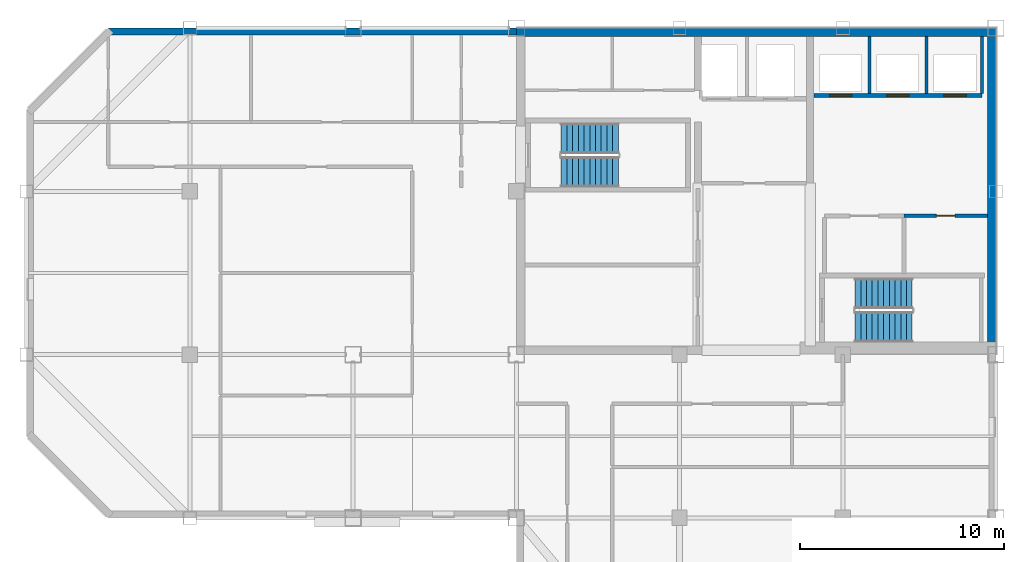
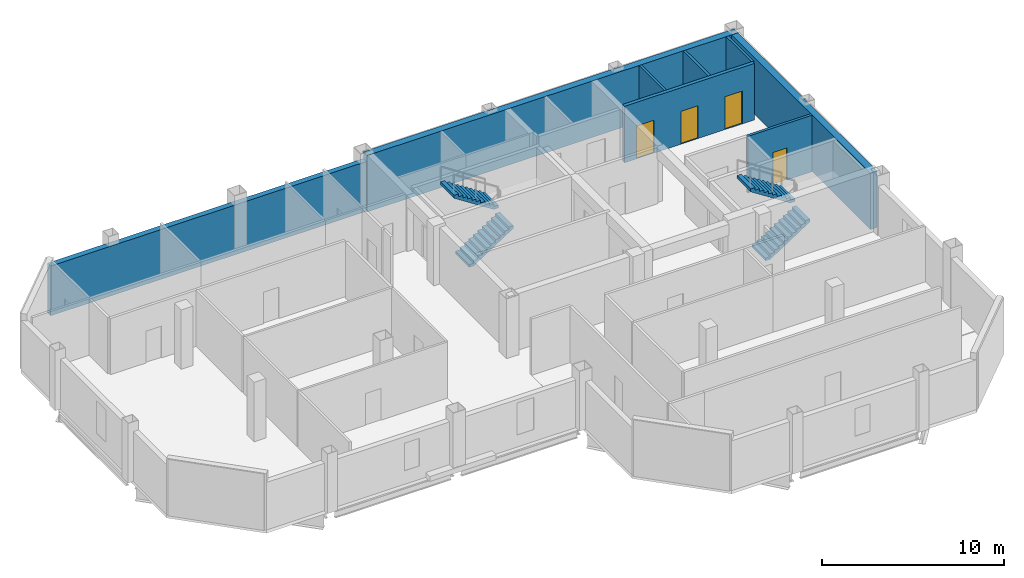
# One storey, part 4 of 7: 8 walls, 4 doors, 4 stair flights, 4 openings, 2 elements without a shape of their own.
"""IFC4 building model written with IfcOpenShell, lengths in metres."""

import ifcopenshell
import ifcopenshell.guid

model = None  # the IFC model being written
_history = None  # IfcOwnerHistory: only IFC2X3 demands one
_inside = {}  # id of a spatial element -> (the spatial element, [elements in it])
_under = {}  # id of a project, library or spatial element -> (it, [spatial elements below it])
_declared = {}  # id of a project -> (the project, [libraries it declares])
_typed = {}  # id of a type object -> (the type object, [elements of that type])
_made_of = {}  # id of a material, layer set ... -> (it, [elements and type objects made of it])


def new_model(schema):
    """Start an empty IFC model of exactly this schema.

    Asked for "IFC4X3", IfcOpenShell would pick the latest addendum, in which some entities
    have other attributes; the version numbers below select the first issue.
    IFC2X3 requires an IfcOwnerHistory on every rooted entity: one is made here for all.
    """
    global model, _history
    if schema == "IFC4X3":
        model = ifcopenshell.file(schema_version=(4, 3, 0, 0))
    else:
        model = ifcopenshell.file(schema=schema)
    _inside.clear()
    _under.clear()
    _declared.clear()
    _typed.clear()
    _made_of.clear()
    _history = None
    if model.schema == "IFC2X3":
        org = make("IfcOrganization", Name="unknown")
        user = make(
            "IfcPersonAndOrganization",
            ThePerson=make("IfcPerson", FamilyName="unknown"),
            TheOrganization=org,
        )
        app = make(
            "IfcApplication",
            ApplicationDeveloper=org,
            Version="unknown",
            ApplicationFullName="unknown",
            ApplicationIdentifier="unknown",
        )
        _history = make(
            "IfcOwnerHistory",
            OwningUser=user,
            OwningApplication=app,
            ChangeAction="ADDED",
            CreationDate=0,
        )
    return model


def make(cls, **values):
    """One entity of the class cls with the attributes given. An attribute that is None is left unset."""
    return model.create_entity(
        cls, **{name: value for name, value in values.items() if value is not None}
    )


def rooted(cls, **values):
    """An entity with a GlobalId (a new one), such as an element, a storey or a relation."""
    return make(cls, GlobalId=ifcopenshell.guid.new(), OwnerHistory=_history, **values)


def si_unit(unit_type, name, prefix=None):
    """IfcSIUnit, for example si_unit("LENGTHUNIT", "METRE", prefix="MILLI")."""
    return make("IfcSIUnit", UnitType=unit_type, Prefix=prefix, Name=name)


def assignment(units):
    """IfcUnitAssignment: the units of a project."""
    return None if units is None else make("IfcUnitAssignment", Units=units)


def point(xyz):
    """IfcCartesianPoint."""
    return None if xyz is None else make("IfcCartesianPoint", Coordinates=xyz)


def direction(xyz):
    """IfcDirection."""
    return None if xyz is None else make("IfcDirection", DirectionRatios=xyz)


def frame(location, z_axis=None, x_axis=None):
    """IfcAxis2Placement3D, a coordinate frame: its origin and axes. An axis left out is left unset."""
    return make(
        "IfcAxis2Placement3D",
        Location=point(location),
        Axis=direction(z_axis),
        RefDirection=direction(x_axis),
    )


def frame_2d(location, x_axis=None):
    """IfcAxis2Placement2D, a coordinate frame in the plane: its origin and x axis."""
    return make(
        "IfcAxis2Placement2D", Location=point(location), RefDirection=direction(x_axis)
    )


def origin():
    """The frame at (0, 0, 0) with its axes left unset."""
    return frame((0.0, 0.0, 0.0))


def place(relative_to, where):
    """IfcLocalPlacement: puts the frame where relative to a parent placement (None: the world)."""
    return make(
        "IfcLocalPlacement", PlacementRelTo=relative_to, RelativePlacement=where
    )


def context(
    kind, dimensions, precision=None, world=None, true_north=None, identifier=None
):
    """IfcGeometricRepresentationContext, for example the 3D "Model" context."""
    return make(
        "IfcGeometricRepresentationContext",
        ContextIdentifier=identifier,
        ContextType=kind,
        CoordinateSpaceDimension=dimensions,
        Precision=precision,
        WorldCoordinateSystem=world,
        TrueNorth=true_north,
    )


def subcontext(parent, identifier, kind, view, scale=None):
    """IfcGeometricRepresentationSubContext, for example "Body" below "Model"."""
    return make(
        "IfcGeometricRepresentationSubContext",
        ContextIdentifier=identifier,
        ContextType=kind,
        ParentContext=parent,
        TargetScale=scale,
        TargetView=view,
    )


def project(units=None, contexts=None):
    """IfcProject with its units and contexts."""
    return rooted(
        "IfcProject",
        Name="project",
        RepresentationContexts=contexts,
        UnitsInContext=assignment(units),
    )


def spatial(cls, under=None, at=None, **own):
    """A site, building, storey or space (cls), placed at a placement, below another one or the project."""
    s = rooted(cls, ObjectPlacement=at, **own)
    if under is not None:
        _under.setdefault(under.id(), (under, []))[1].append(s)
    return s


def polyline(points):
    """IfcPolyline through the points."""
    return make("IfcPolyline", Points=[point(p) for p in points])


def profile(cls, at=None, kind="AREA", **sizes):
    """A parametric profile (cls). Its sizes go by their IFC names, for example OverallWidth=200.0."""
    return make(cls, ProfileType=kind, Position=at, **sizes)


def rectangle(**sizes):
    """IfcRectangleProfileDef."""
    return profile("IfcRectangleProfileDef", **sizes)


def outline(outer, holes=None, kind="AREA"):
    """IfcArbitraryClosedProfileDef: a profile drawn as a closed curve; with holes, ...WithVoids."""
    if holes is None:
        return make("IfcArbitraryClosedProfileDef", ProfileType=kind, OuterCurve=outer)
    return make(
        "IfcArbitraryProfileDefWithVoids",
        ProfileType=kind,
        OuterCurve=outer,
        InnerCurves=holes,
    )


def extrude(swept, where, along, depth):
    """IfcExtrudedAreaSolid: the profile swept, set in the frame where, extruded along a direction by depth."""
    return make(
        "IfcExtrudedAreaSolid",
        SweptArea=swept,
        Position=where,
        ExtrudedDirection=direction(along),
        Depth=depth,
    )


def shape(context_of_items, identifier, shape_type, items):
    """IfcShapeRepresentation: the items that make up one representation, for example the "Body"."""
    return make(
        "IfcShapeRepresentation",
        ContextOfItems=context_of_items,
        RepresentationIdentifier=identifier,
        RepresentationType=shape_type,
        Items=items,
    )


def material(Name=None, Category=None):
    """IfcMaterial."""
    return make("IfcMaterial", Name=Name, Category=Category)


def layer(
    of_material, thickness, ventilated=None, Name=None, Category=None, Priority=None
):
    """IfcMaterialLayer: one layer of a wall or slab, of a material (None: an air gap)."""
    return make(
        "IfcMaterialLayer",
        Material=of_material,
        LayerThickness=thickness,
        IsVentilated=ventilated,
        Name=Name,
        Category=Category,
        Priority=Priority,
    )


def layer_set(layers, Name=None):
    """IfcMaterialLayerSet."""
    return make("IfcMaterialLayerSet", MaterialLayers=layers, LayerSetName=Name)


def made_of(thing, what):
    """Note that an element or type object is made of a material, layer set ...; save() writes the relation."""
    if what is not None:
        _made_of.setdefault(what.id(), (what, []))[1].append(thing)
    return thing


def type_object(cls, material=None, **own):
    """A type object (cls), such as IfcWallType, which elements share."""
    return made_of(rooted(cls, **own), material)


def element(
    cls,
    number,
    at=None,
    inside=None,
    cuts=None,
    type_object=None,
    material=None,
    context=None,
    identifier="Body",
    shape_type=None,
    held_by="IfcProductDefinitionShape",
    body=None,
    shapes=None,
    **own,
):
    """One element of the class cls, such as IfcWall. Its Tag is "e" and its number.

    at: its placement. inside: the storey or other place that contains it. cuts: it is an
    opening in that element (IfcRelVoidsElement). A single representation is given by context,
    identifier, shape_type and body (its items); several are given by shapes. held_by: the class
    of the entity that holds the representations. save() writes the other relations.
    """
    e = rooted(cls, Tag="e%d" % number, ObjectPlacement=at, **own)
    if body is not None:
        shapes = [shape(context, identifier, shape_type, body)]
    if shapes is not None:
        e.Representation = make(held_by, Representations=shapes)
    if inside is not None:
        _inside.setdefault(inside.id(), (inside, []))[1].append(e)
    if cuts is not None:
        rooted(
            "IfcRelVoidsElement", RelatingBuildingElement=cuts, RelatedOpeningElement=e
        )
    if type_object is not None:
        _typed.setdefault(type_object.id(), (type_object, []))[1].append(e)
    return made_of(e, material)


def fill(opening, filler):
    """IfcRelFillsElement: the door or window that sits in an opening."""
    return rooted(
        "IfcRelFillsElement",
        RelatingOpeningElement=opening,
        RelatedBuildingElement=filler,
    )


def aggregate(whole, parts):
    """IfcRelAggregates: a whole, such as a stair, and the parts it consists of."""
    return rooted("IfcRelAggregates", RelatingObject=whole, RelatedObjects=parts)


def save(model, path):
    """Write the relations noted so far, then the file.

    IfcRelAggregates (storeys below a building ...), IfcRelContainedInSpatialStructure (elements
    in a storey), IfcRelDefinesByType, IfcRelAssociatesMaterial and IfcRelDeclares: one each for
    every whole, place, type object, material and project.
    """
    for whole, parts in _under.values():
        aggregate(whole, parts)
    for where, things in _inside.values():
        rooted(
            "IfcRelContainedInSpatialStructure",
            RelatedElements=things,
            RelatingStructure=where,
        )
    for kind, things in _typed.values():
        rooted("IfcRelDefinesByType", RelatedObjects=things, RelatingType=kind)
    for what, things in _made_of.values():
        rooted("IfcRelAssociatesMaterial", RelatedObjects=things, RelatingMaterial=what)
    for by, libraries in _declared.values():
        rooted("IfcRelDeclares", RelatingContext=by, RelatedDefinitions=libraries)
    model.write(path)


model = new_model("IFC4")

# Units and contexts
model_context = context("Model", 3, precision=1e-05, world=origin(), true_north=direction((0.0, 1.0)))
body_context = subcontext(model_context, "Body", "Model", "MODEL_VIEW")
ifc_project = project(units=[si_unit("LENGTHUNIT", "METRE"), si_unit("AREAUNIT", "SQUARE_METRE"), si_unit("VOLUMEUNIT", "CUBIC_METRE"), si_unit("PLANEANGLEUNIT", "RADIAN"), si_unit("MASSUNIT", "GRAM", prefix="KILO")], contexts=[model_context])

# Site, building, storey
site_placement = place(None, origin())
site = spatial("IfcSite", under=ifc_project, at=site_placement, CompositionType="ELEMENT")
building_placement = place(site_placement, origin())
building = spatial("IfcBuilding", under=site, at=building_placement, Name="Qianrong Seaharbour Tower", CompositionType="ELEMENT")
storey_placement = place(building_placement, frame((0.0, 0.0, 347.199951171875)))
storey = spatial("IfcBuildingStorey", under=building, at=storey_placement, Name="L84", CompositionType="ELEMENT", Elevation=347.199951171875)

# Walls
ifc_material_1 = material(Name="Concrete C50/60", Category="concrete")
ifc_layer_1 = layer(ifc_material_1, 0.419921875)
ifc_layer_set_1 = layer_set([ifc_layer_1], Name="Concrete C50/60")
wall_type_1 = type_object("IfcWallType", Name="WALL-CORE-420", PredefinedType="SHEAR", material=ifc_layer_set_1)
wall_1_placement = place(storey_placement, frame((40.5, 51.7900390625, 0.0), z_axis=(0.0, 0.0, 1.0), x_axis=(1.0, 0.0, 0.0)))
element("IfcWall", 1, at=wall_1_placement, inside=storey, type_object=wall_type_1, Name="L84 North Core Shear Wall", PredefinedType="SHEAR", context=body_context, shape_type="SweptSolid", body=[
    extrude(rectangle(XDim=23.5, YDim=0.419921875, at=frame_2d((11.75, 0.0))), origin(), (0.0, 0.0, 1.0), 3.78515625),
])
wall_2_placement = place(storey_placement, frame((63.7900390625, 36.320068359375, 0.0), z_axis=(0.0, 0.0, 1.0), x_axis=(0.0, 1.0, 0.0)))
element("IfcWall", 2, at=wall_2_placement, inside=storey, type_object=wall_type_1, Name="L84 East Core Shear Wall", PredefinedType="SHEAR", context=body_context, shape_type="SweptSolid", body=[
    extrude(rectangle(XDim=15.260009765625, YDim=0.419921875, at=frame_2d((7.6298828125, 0.0))), origin(), (0.0, 0.0, 1.0), 3.78515625),
])

# Wall, opening, door
ifc_material_2 = material(Name="Fire-rated acoustic gypsum board partition")
ifc_layer_2 = layer(ifc_material_2, 0.1650390625)
ifc_layer_set_2 = layer_set([ifc_layer_2], Name="Fire-rated acoustic gypsum board partition")
wall_type_2 = type_object("IfcWallType", Name="WALL-CORR-PART-165", PredefinedType="PARTITIONING", material=ifc_layer_set_2)
wall_3_placement = place(storey_placement, frame((63.580078125, 42.800048828125, 0.0), z_axis=(0.0, 0.0, 1.0), x_axis=(-1.0, 0.0, 0.0)))
wall_3 = element("IfcWall", 3, at=wall_3_placement, inside=storey, type_object=wall_type_2, Name="L84 Interior Partition Wall 015", PredefinedType="PARTITIONING", context=body_context, shape_type="SweptSolid", body=[
    extrude(rectangle(XDim=4.080078125, YDim=0.1650390625, at=frame_2d((2.0400390625, 0.0))), origin(), (0.0, 0.0, 1.0), 3.78515625),
])
opening_1_placement = place(wall_3_placement, frame((1.590087890625, 0.0, 0.0)))
opening_1 = element("IfcOpeningElement", 4, at=opening_1_placement, cuts=wall_3, Name="Opening DS-01", PredefinedType="OPENING", context=body_context, shape_type="SweptSolid", body=[
    extrude(rectangle(XDim=0.89990234375, YDim=2.14990234375, at=frame_2d((0.449951171875, 1.074951171875))), frame((0.0, 0.092529296875, 0.0), z_axis=(0.0, -1.0, 0.0), x_axis=(1.0, 0.0, 0.0)), (0.0, 0.0, 1.0), 0.18505859375),
])
ifc_material_3 = material(Name="Acoustic timber and galvanized steel fire door assembly", Category="steel")
door_type_1 = type_object("IfcDoorType", Name="DOOR-STORE-900x2150", OperationType="NOTDEFINED", PredefinedType="DOOR", material=ifc_material_3)
door_1_placement = place(opening_1_placement, origin())
door_1 = element("IfcDoor", 5, at=door_1_placement, inside=storey, type_object=door_type_1, Name="L84 Cleaner Store Room Door", OperationType="SINGLE_SWING_LEFT", OverallHeight=2.14990234375, OverallWidth=0.89990234375, PredefinedType="DOOR", context=body_context, shape_type="SweptSolid", body=[
    extrude(rectangle(XDim=0.89990234375, YDim=2.14990234375, at=frame_2d((0.449951171875, 1.074951171875))), frame((0.0, 0.02490234375, 0.0), z_axis=(0.0, -1.0, 0.0), x_axis=(1.0, 0.0, 0.0)), (0.0, 0.0, 1.0), 0.050048828125),
])
fill(opening_1, door_1)

# Walls
ifc_material_4 = material(Name="Unitised buff brick on Precast concrete C45/55", Category="masonry")
ifc_layer_3 = layer(ifc_material_4, 0.340087890625)
ifc_layer_set_3 = layer_set([ifc_layer_3], Name="Unitised buff brick on Precast concrete C45/55")
wall_type_3 = type_object("IfcWallType", Name="WALL-EXT-BRICK-BUFF-340", PredefinedType="SOLIDWALL", material=ifc_layer_set_3)
wall_4_placement = place(storey_placement, frame((20.5, 51.830078125, 0.0), z_axis=(0.0, 0.0, 1.0), x_axis=(1.0, 0.0, 0.0)))
element("IfcWall", 6, at=wall_4_placement, inside=storey, type_object=wall_type_3, Name="L84 Exterior Masonry Facade Wall NORTH_WING", PredefinedType="SOLIDWALL", context=body_context, shape_type="SweptSolid", body=[
    extrude(rectangle(XDim=20.02001953125, YDim=0.340087890625, at=frame_2d((10.010009765625, 0.0))), origin(), (0.0, 0.0, 1.0), 3.3349609375),
])
ifc_material_5 = material(Name="Fire-rated gypsum board on steel studs", Category="steel")
ifc_layer_4 = layer(ifc_material_5, 0.14990234375)
ifc_layer_set_4 = layer_set([ifc_layer_4], Name="Fire-rated gypsum board on steel studs")
wall_type_4 = type_object("IfcWallType", Name="WALL-SHAFT-DIV-150", PredefinedType="PARTITIONING", material=ifc_layer_set_4)
for number, where, z_axis, x_axis, name in (
    (7, (57.800048828125, 48.81005859375, 0.0), (0.0, 0.0, 1.0), (0.0, 1.0, 0.0), "L84 P4 Lift Hoistway Divider 2"),
    (8, (60.60009765625, 48.81005859375, 0.0), (0.0, 0.0, 1.0), (0.0, 1.0, 0.0), "L84 P4 Lift Hoistway Divider 3"),
    (9, (63.320068359375, 48.81005859375, 0.0), (0.0, 0.0, 1.0), (0.0, 1.0, 0.0), "L84 P4 Lift Hoistway Divider 4"),
):
    element("IfcWall", number, at=place(storey_placement, frame(where, z_axis=z_axis, x_axis=x_axis)), inside=storey, type_object=wall_type_4, Name=name, PredefinedType="PARTITIONING", context=body_context, shape_type="SweptSolid", body=[
        extrude(rectangle(XDim=2.77001953125, YDim=0.14990234375, at=frame_2d((1.385009765625, 0.0))), origin(), (0.0, 0.0, 1.0), 3.78515625),
    ])

# Wall, openings, doors
ifc_layer_5 = layer(ifc_material_5, 0.219970703125)
ifc_layer_set_5 = layer_set([ifc_layer_5], Name="Fire-rated gypsum board on steel studs")
wall_type_5 = type_object("IfcWallType", Name="WALL-SHAFT-GYP220", PredefinedType="PARTITIONING", material=ifc_layer_set_5)
wall_5_placement = place(storey_placement, frame((63.320068359375, 48.699951171875, 0.0), z_axis=(0.0, 0.0, 1.0), x_axis=(-1.0, 0.0, 0.0)))
wall_5 = element("IfcWall", 10, at=wall_5_placement, inside=storey, type_object=wall_type_5, Name="L84 P4 Lift Hoistway Front Wall", PredefinedType="PARTITIONING", context=body_context, shape_type="SweptSolid", body=[
    extrude(rectangle(XDim=8.239990234375, YDim=0.219970703125, at=frame_2d((4.1201171875, 0.0))), origin(), (0.0, 0.0, 1.0), 3.78515625),
])
opening_2_placement = place(wall_5_placement, frame((6.3701171875, 0.0, 0.0)))
opening_2 = element("IfcOpeningElement", 11, at=opening_2_placement, cuts=wall_5, Name="Opening LD-02", PredefinedType="OPENING", context=body_context, shape_type="SweptSolid", body=[
    extrude(rectangle(XDim=1.10009765625, YDim=2.199951171875, at=frame_2d((0.550048828125, 1.10009765625))), frame((0.0, 0.1201171875, 0.0), z_axis=(0.0, -1.0, 0.0), x_axis=(1.0, 0.0, 0.0)), (0.0, 0.0, 1.0), 0.239990234375),
])
opening_3_placement = place(wall_5_placement, frame((3.570068359375, 0.0, 0.0)))
opening_3 = element("IfcOpeningElement", 12, at=opening_3_placement, cuts=wall_5, Name="Opening LD-02", PredefinedType="OPENING", context=body_context, shape_type="SweptSolid", body=[
    extrude(rectangle(XDim=1.10009765625, YDim=2.199951171875, at=frame_2d((0.550048828125, 1.10009765625))), frame((0.0, 0.1201171875, 0.0), z_axis=(0.0, -1.0, 0.0), x_axis=(1.0, 0.0, 0.0)), (0.0, 0.0, 1.0), 0.239990234375),
])
opening_4_placement = place(wall_5_placement, frame((0.77001953125, 0.0, 0.0)))
opening_4 = element("IfcOpeningElement", 13, at=opening_4_placement, cuts=wall_5, Name="Opening LD-02", PredefinedType="OPENING", context=body_context, shape_type="SweptSolid", body=[
    extrude(rectangle(XDim=1.10009765625, YDim=2.199951171875, at=frame_2d((0.550048828125, 1.10009765625))), frame((0.0, 0.1201171875, 0.0), z_axis=(0.0, -1.0, 0.0), x_axis=(1.0, 0.0, 0.0)), (0.0, 0.0, 1.0), 0.239990234375),
])
ifc_material_6 = material(Name="Stainless steel SUS316L bi-parting lift landing door", Category="steel")
door_type_2 = type_object("IfcDoorType", Name="DOOR-LIFT-PASS-1100x2200", OperationType="DOUBLE_DOOR_SLIDING", PredefinedType="DOOR", material=ifc_material_6)
door_2_placement = place(opening_2_placement, origin())
door_2 = element("IfcDoor", 14, at=door_2_placement, inside=storey, type_object=door_type_2, Name="L84 PL-4A Lift Landing Door", OperationType="DOUBLE_DOOR_SLIDING", OverallHeight=2.199951171875, OverallWidth=1.10009765625, PredefinedType="DOOR", context=body_context, shape_type="SweptSolid", body=[
    extrude(rectangle(XDim=1.10009765625, YDim=2.199951171875, at=frame_2d((0.550048828125, 1.10009765625))), frame((0.0, 0.02490234375, 0.0), z_axis=(0.0, -1.0, 0.0), x_axis=(1.0, 0.0, 0.0)), (0.0, 0.0, 1.0), 0.050048828125),
])
fill(opening_2, door_2)
door_3_placement = place(opening_3_placement, origin())
door_3 = element("IfcDoor", 15, at=door_3_placement, inside=storey, type_object=door_type_2, Name="L84 PL-4B Lift Landing Door", OperationType="DOUBLE_DOOR_SLIDING", OverallHeight=2.199951171875, OverallWidth=1.10009765625, PredefinedType="DOOR", context=body_context, shape_type="SweptSolid", body=[
    extrude(rectangle(XDim=1.10009765625, YDim=2.199951171875, at=frame_2d((0.550048828125, 1.10009765625))), frame((0.0, 0.02490234375, 0.0), z_axis=(0.0, -1.0, 0.0), x_axis=(1.0, 0.0, 0.0)), (0.0, 0.0, 1.0), 0.050048828125),
])
fill(opening_3, door_3)
door_4_placement = place(opening_4_placement, origin())
door_4 = element("IfcDoor", 16, at=door_4_placement, inside=storey, type_object=door_type_2, Name="L84 PL-4C Lift Landing Door", OperationType="DOUBLE_DOOR_SLIDING", OverallHeight=2.199951171875, OverallWidth=1.10009765625, PredefinedType="DOOR", context=body_context, shape_type="SweptSolid", body=[
    extrude(rectangle(XDim=1.10009765625, YDim=2.199951171875, at=frame_2d((0.550048828125, 1.10009765625))), frame((0.0, 0.02490234375, 0.0), z_axis=(0.0, -1.0, 0.0), x_axis=(1.0, 0.0, 0.0)), (0.0, 0.0, 1.0), 0.050048828125),
])
fill(opening_4, door_4)

# Stair, stair flights
stair_type = type_object("IfcStairType", Name="STAIR-DOGLEG-1500-R22", PredefinedType="HALF_TURN_STAIR", material=ifc_material_1)
stair_1_placement = place(storey_placement, origin())
stair_1 = element("IfcStair", 17, at=stair_1_placement, inside=storey, type_object=stair_type, Name="L84 Protected Escape Stair ST-1", PredefinedType="HALF_TURN_STAIR")
stair_flight_type = type_object("IfcStairFlightType", Name="FLIGHT-STR-1500-R22", PredefinedType="STRAIGHT", material=ifc_material_1)
stair_flight_1_placement = place(storey_placement, frame((42.699951171875, 44.949951171875, 0.0), z_axis=(0.0, 0.0, 1.0), x_axis=(1.0, 0.0, 0.0)))
stair_flight_1 = element("IfcStairFlight", 18, at=stair_flight_1_placement, type_object=stair_flight_type, Name="ST-1 flight 1", NumberOfRisers=11, NumberOfTreads=10, PredefinedType="STRAIGHT", RiserHeight=0.181818182, TreadLength=0.28, context=body_context, shape_type="SweptSolid", body=[
    extrude(outline(polyline([(0.0, 0.0), (0.0, 0.181884765625), (0.280029296875, 0.181884765625), (0.280029296875, 0.363525390625), (0.56005859375, 0.363525390625), (0.56005859375, 0.54541015625), (0.840087890625, 0.54541015625), (0.840087890625, 0.727294921875), (1.1201171875, 0.727294921875), (1.1201171875, 0.9091796875), (1.39990234375, 0.9091796875), (1.39990234375, 1.0908203125), (1.679931640625, 1.0908203125), (1.679931640625, 1.272705078125), (1.9599609375, 1.272705078125), (1.9599609375, 1.45458984375), (2.239990234375, 1.45458984375), (2.239990234375, 1.636474609375), (2.52001953125, 1.636474609375), (2.52001953125, 1.818115234375), (2.800048828125, 1.818115234375), (2.800048828125, 2.0), (2.800048828125, 1.62744140625), (0.293701171875, 0.0), (0.0, 0.0)])), frame((0.0, 0.75, 0.0), z_axis=(0.0, -1.0, 0.0), x_axis=(1.0, 0.0, 0.0)), (0.0, 0.0, 1.0), 1.5),
])
stair_flight_2_placement = place(storey_placement, frame((45.5, 46.60009765625, 2.0), z_axis=(0.0, 0.0, 1.0), x_axis=(-1.0, 0.0, 0.0)))
stair_flight_2 = element("IfcStairFlight", 19, at=stair_flight_2_placement, type_object=stair_flight_type, Name="ST-1 flight 2", NumberOfRisers=11, NumberOfTreads=10, PredefinedType="STRAIGHT", RiserHeight=0.181818182, TreadLength=0.28, context=body_context, shape_type="SweptSolid", body=[
    extrude(outline(polyline([(0.0, 0.0), (0.0, 0.181884765625), (0.280029296875, 0.181884765625), (0.280029296875, 0.363525390625), (0.56005859375, 0.363525390625), (0.56005859375, 0.54541015625), (0.840087890625, 0.54541015625), (0.840087890625, 0.727294921875), (1.1201171875, 0.727294921875), (1.1201171875, 0.9091796875), (1.39990234375, 0.9091796875), (1.39990234375, 1.0908203125), (1.679931640625, 1.0908203125), (1.679931640625, 1.272705078125), (1.9599609375, 1.272705078125), (1.9599609375, 1.45458984375), (2.239990234375, 1.45458984375), (2.239990234375, 1.636474609375), (2.52001953125, 1.636474609375), (2.52001953125, 1.818115234375), (2.800048828125, 1.818115234375), (2.800048828125, 2.0), (2.800048828125, 1.62744140625), (0.293701171875, 0.0), (0.0, 0.0)])), frame((0.0, 0.75, 0.0), z_axis=(0.0, -1.0, 0.0), x_axis=(1.0, 0.0, 0.0)), (0.0, 0.0, 1.0), 1.5),
])
aggregate(stair_1, [stair_flight_1, stair_flight_2])

stair_2_placement = place(storey_placement, origin())
stair_2 = element("IfcStair", 20, at=stair_2_placement, inside=storey, type_object=stair_type, Name="L84 Protected Escape Stair ST-2", PredefinedType="HALF_TURN_STAIR")
stair_flight_3_placement = place(storey_placement, frame((57.10009765625, 37.35009765625, 0.0), z_axis=(0.0, 0.0, 1.0), x_axis=(1.0, 0.0, 0.0)))
stair_flight_3 = element("IfcStairFlight", 21, at=stair_flight_3_placement, type_object=stair_flight_type, Name="ST-2 flight 1", NumberOfRisers=11, NumberOfTreads=10, PredefinedType="STRAIGHT", RiserHeight=0.181818182, TreadLength=0.28, context=body_context, shape_type="SweptSolid", body=[
    extrude(outline(polyline([(0.0, 0.0), (0.0, 0.181884765625), (0.280029296875, 0.181884765625), (0.280029296875, 0.363525390625), (0.56005859375, 0.363525390625), (0.56005859375, 0.54541015625), (0.840087890625, 0.54541015625), (0.840087890625, 0.727294921875), (1.1201171875, 0.727294921875), (1.1201171875, 0.9091796875), (1.39990234375, 0.9091796875), (1.39990234375, 1.0908203125), (1.679931640625, 1.0908203125), (1.679931640625, 1.272705078125), (1.9599609375, 1.272705078125), (1.9599609375, 1.45458984375), (2.239990234375, 1.45458984375), (2.239990234375, 1.636474609375), (2.52001953125, 1.636474609375), (2.52001953125, 1.818115234375), (2.800048828125, 1.818115234375), (2.800048828125, 2.0), (2.800048828125, 1.62744140625), (0.293701171875, 0.0), (0.0, 0.0)])), frame((0.0, 0.75, 0.0), z_axis=(0.0, -1.0, 0.0), x_axis=(1.0, 0.0, 0.0)), (0.0, 0.0, 1.0), 1.5),
])
stair_flight_4_placement = place(storey_placement, frame((59.89990234375, 39.0, 2.0), z_axis=(0.0, 0.0, 1.0), x_axis=(-1.0, 0.0, 0.0)))
stair_flight_4 = element("IfcStairFlight", 22, at=stair_flight_4_placement, type_object=stair_flight_type, Name="ST-2 flight 2", NumberOfRisers=11, NumberOfTreads=10, PredefinedType="STRAIGHT", RiserHeight=0.181818182, TreadLength=0.28, context=body_context, shape_type="SweptSolid", body=[
    extrude(outline(polyline([(0.0, 0.0), (0.0, 0.181884765625), (0.280029296875, 0.181884765625), (0.280029296875, 0.363525390625), (0.56005859375, 0.363525390625), (0.56005859375, 0.54541015625), (0.840087890625, 0.54541015625), (0.840087890625, 0.727294921875), (1.1201171875, 0.727294921875), (1.1201171875, 0.9091796875), (1.39990234375, 0.9091796875), (1.39990234375, 1.0908203125), (1.679931640625, 1.0908203125), (1.679931640625, 1.272705078125), (1.9599609375, 1.272705078125), (1.9599609375, 1.45458984375), (2.239990234375, 1.45458984375), (2.239990234375, 1.636474609375), (2.52001953125, 1.636474609375), (2.52001953125, 1.818115234375), (2.800048828125, 1.818115234375), (2.800048828125, 2.0), (2.800048828125, 1.62744140625), (0.293701171875, 0.0), (0.0, 0.0)])), frame((0.0, 0.75, 0.0), z_axis=(0.0, -1.0, 0.0), x_axis=(1.0, 0.0, 0.0)), (0.0, 0.0, 1.0), 1.5),
])
aggregate(stair_2, [stair_flight_3, stair_flight_4])

save(model, "model.ifc")
